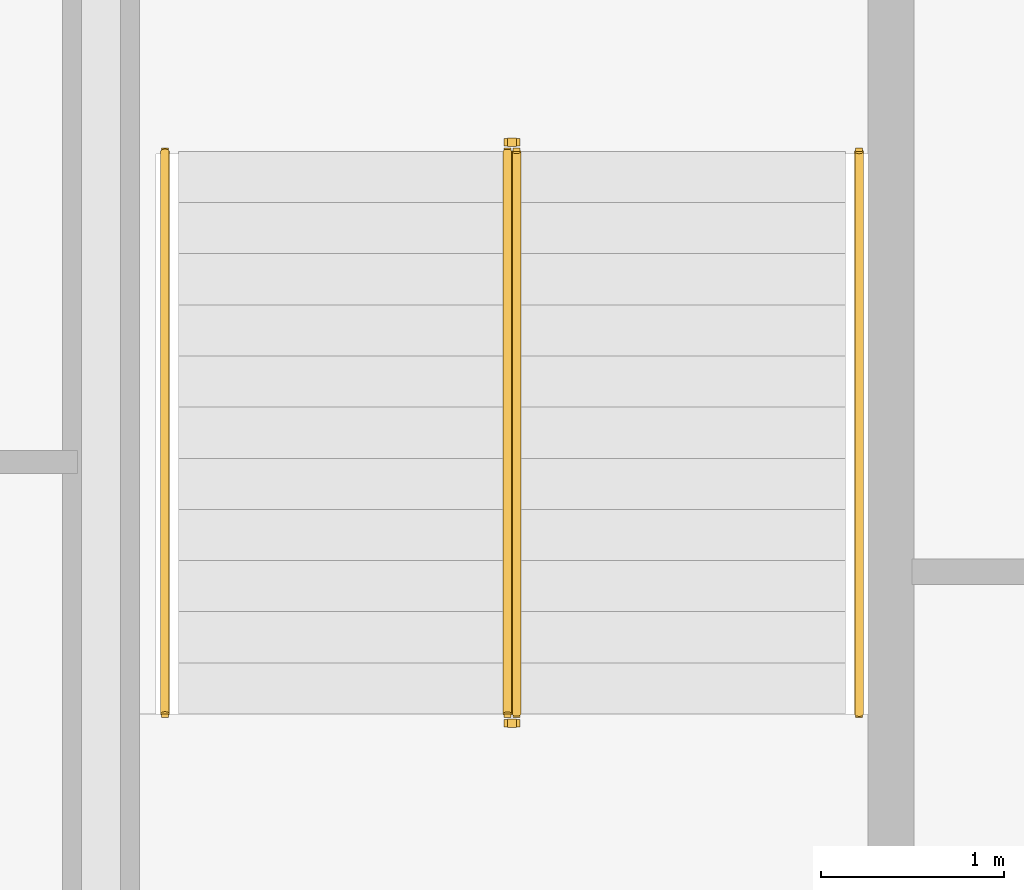
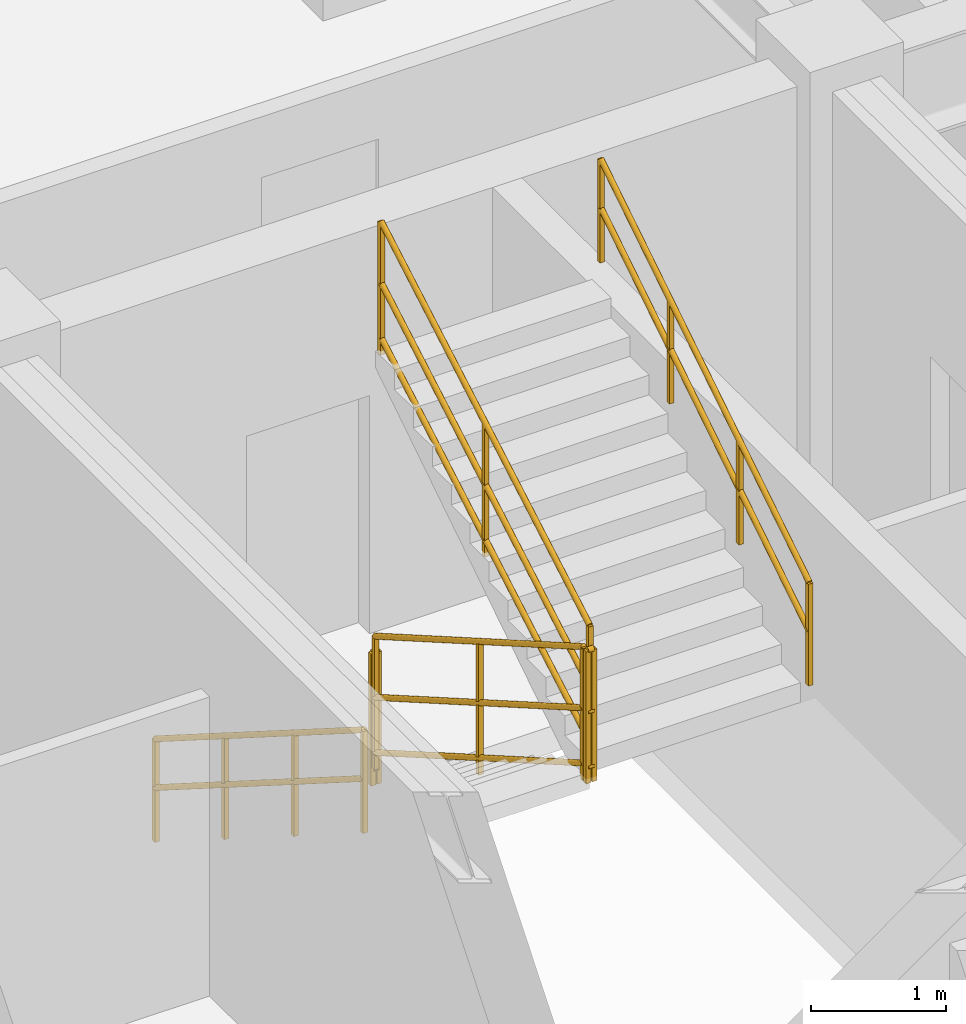
# One storey, part 9 of 9: 6 railings.
"""IFC4 building model written with IfcOpenShell, lengths in metres."""

import ifcopenshell
import ifcopenshell.guid

model = None  # the IFC model being written
_history = None  # IfcOwnerHistory: only IFC2X3 demands one
_inside = {}  # id of a spatial element -> (the spatial element, [elements in it])
_under = {}  # id of a project, library or spatial element -> (it, [spatial elements below it])
_declared = {}  # id of a project -> (the project, [libraries it declares])
_typed = {}  # id of a type object -> (the type object, [elements of that type])
_made_of = {}  # id of a material, layer set ... -> (it, [elements and type objects made of it])


def new_model(schema):
    """Start an empty IFC model of exactly this schema.

    Asked for "IFC4X3", IfcOpenShell would pick the latest addendum, in which some entities
    have other attributes; the version numbers below select the first issue.
    IFC2X3 requires an IfcOwnerHistory on every rooted entity: one is made here for all.
    """
    global model, _history
    if schema == "IFC4X3":
        model = ifcopenshell.file(schema_version=(4, 3, 0, 0))
    else:
        model = ifcopenshell.file(schema=schema)
    _inside.clear()
    _under.clear()
    _declared.clear()
    _typed.clear()
    _made_of.clear()
    _history = None
    if model.schema == "IFC2X3":
        org = make("IfcOrganization", Name="unknown")
        user = make(
            "IfcPersonAndOrganization",
            ThePerson=make("IfcPerson", FamilyName="unknown"),
            TheOrganization=org,
        )
        app = make(
            "IfcApplication",
            ApplicationDeveloper=org,
            Version="unknown",
            ApplicationFullName="unknown",
            ApplicationIdentifier="unknown",
        )
        _history = make(
            "IfcOwnerHistory",
            OwningUser=user,
            OwningApplication=app,
            ChangeAction="ADDED",
            CreationDate=0,
        )
    return model


def make(cls, **values):
    """One entity of the class cls with the attributes given. An attribute that is None is left unset."""
    return model.create_entity(
        cls, **{name: value for name, value in values.items() if value is not None}
    )


def entity(cls, *values):
    """Any entity or typed value of the class cls, its attributes in the order of the schema. None: left unset."""
    e = model.create_entity(cls)
    for i, value in enumerate(values):
        if value is not None:
            e[i] = value
    return e


def rooted(cls, **values):
    """An entity with a GlobalId (a new one), such as an element, a storey or a relation."""
    return make(cls, GlobalId=ifcopenshell.guid.new(), OwnerHistory=_history, **values)


def si_unit(unit_type, name, prefix=None):
    """IfcSIUnit, for example si_unit("LENGTHUNIT", "METRE", prefix="MILLI")."""
    return make("IfcSIUnit", UnitType=unit_type, Prefix=prefix, Name=name)


def converted_unit(unit_type, name, factor, base, dimensions=None, offset=None):
    """IfcConversionBasedUnit, such as the inch: factor (a typed value) times the base unit."""
    return make(
        "IfcConversionBasedUnit"
        if offset is None
        else "IfcConversionBasedUnitWithOffset",
        ConversionOffset=offset,
        Dimensions=None
        if dimensions is None
        else entity("IfcDimensionalExponents", *dimensions),
        UnitType=unit_type,
        Name=name,
        ConversionFactor=make(
            "IfcMeasureWithUnit", ValueComponent=factor, UnitComponent=base
        ),
    )


def assignment(units):
    """IfcUnitAssignment: the units of a project."""
    return None if units is None else make("IfcUnitAssignment", Units=units)


def point(xyz):
    """IfcCartesianPoint."""
    return None if xyz is None else make("IfcCartesianPoint", Coordinates=xyz)


def direction(xyz):
    """IfcDirection."""
    return None if xyz is None else make("IfcDirection", DirectionRatios=xyz)


def frame(location, z_axis=None, x_axis=None):
    """IfcAxis2Placement3D, a coordinate frame: its origin and axes. An axis left out is left unset."""
    return make(
        "IfcAxis2Placement3D",
        Location=point(location),
        Axis=direction(z_axis),
        RefDirection=direction(x_axis),
    )


def frame_2d(location, x_axis=None):
    """IfcAxis2Placement2D, a coordinate frame in the plane: its origin and x axis."""
    return make(
        "IfcAxis2Placement2D", Location=point(location), RefDirection=direction(x_axis)
    )


def origin_with_axes():
    """The frame at (0, 0, 0) with the z axis (0, 0, 1) and the x axis (1, 0, 0) written out."""
    return frame((0.0, 0.0, 0.0), z_axis=(0.0, 0.0, 1.0), x_axis=(1.0, 0.0, 0.0))


def origin_2d_with_axis():
    """The frame at (0, 0) in the plane with the x axis (1, 0) written out."""
    return frame_2d((0.0, 0.0), x_axis=(1.0, 0.0))


def place(relative_to, where):
    """IfcLocalPlacement: puts the frame where relative to a parent placement (None: the world)."""
    return make(
        "IfcLocalPlacement", PlacementRelTo=relative_to, RelativePlacement=where
    )


def context(
    kind, dimensions, precision=None, world=None, true_north=None, identifier=None
):
    """IfcGeometricRepresentationContext, for example the 3D "Model" context."""
    return make(
        "IfcGeometricRepresentationContext",
        ContextIdentifier=identifier,
        ContextType=kind,
        CoordinateSpaceDimension=dimensions,
        Precision=precision,
        WorldCoordinateSystem=world,
        TrueNorth=true_north,
    )


def subcontext(parent, identifier, kind, view, scale=None):
    """IfcGeometricRepresentationSubContext, for example "Body" below "Model"."""
    return make(
        "IfcGeometricRepresentationSubContext",
        ContextIdentifier=identifier,
        ContextType=kind,
        ParentContext=parent,
        TargetScale=scale,
        TargetView=view,
    )


def project(units=None, contexts=None):
    """IfcProject with its units and contexts."""
    return rooted(
        "IfcProject",
        Name="project",
        RepresentationContexts=contexts,
        UnitsInContext=assignment(units),
    )


def spatial(cls, under=None, at=None, **own):
    """A site, building, storey or space (cls), placed at a placement, below another one or the project."""
    s = rooted(cls, ObjectPlacement=at, **own)
    if under is not None:
        _under.setdefault(under.id(), (under, []))[1].append(s)
    return s


def profile(cls, at=None, kind="AREA", **sizes):
    """A parametric profile (cls). Its sizes go by their IFC names, for example OverallWidth=200.0."""
    return make(cls, ProfileType=kind, Position=at, **sizes)


def rectangle(**sizes):
    """IfcRectangleProfileDef."""
    return profile("IfcRectangleProfileDef", **sizes)


def circle(**sizes):
    """IfcCircleProfileDef."""
    return profile("IfcCircleProfileDef", **sizes)


def extrude(swept, where, along, depth):
    """IfcExtrudedAreaSolid: the profile swept, set in the frame where, extruded along a direction by depth."""
    return make(
        "IfcExtrudedAreaSolid",
        SweptArea=swept,
        Position=where,
        ExtrudedDirection=direction(along),
        Depth=depth,
    )


def shape(context_of_items, identifier, shape_type, items):
    """IfcShapeRepresentation: the items that make up one representation, for example the "Body"."""
    return make(
        "IfcShapeRepresentation",
        ContextOfItems=context_of_items,
        RepresentationIdentifier=identifier,
        RepresentationType=shape_type,
        Items=items,
    )


def material(Name=None, Category=None):
    """IfcMaterial."""
    return make("IfcMaterial", Name=Name, Category=Category)


def made_of(thing, what):
    """Note that an element or type object is made of a material, layer set ...; save() writes the relation."""
    if what is not None:
        _made_of.setdefault(what.id(), (what, []))[1].append(thing)
    return thing


def type_object(cls, material=None, **own):
    """A type object (cls), such as IfcWallType, which elements share."""
    return made_of(rooted(cls, **own), material)


def element(
    cls,
    number,
    at=None,
    inside=None,
    cuts=None,
    type_object=None,
    material=None,
    context=None,
    identifier="Body",
    shape_type=None,
    held_by="IfcProductDefinitionShape",
    body=None,
    shapes=None,
    **own,
):
    """One element of the class cls, such as IfcWall. Its Tag is "e" and its number.

    at: its placement. inside: the storey or other place that contains it. cuts: it is an
    opening in that element (IfcRelVoidsElement). A single representation is given by context,
    identifier, shape_type and body (its items); several are given by shapes. held_by: the class
    of the entity that holds the representations. save() writes the other relations.
    """
    e = rooted(cls, Tag="e%d" % number, ObjectPlacement=at, **own)
    if body is not None:
        shapes = [shape(context, identifier, shape_type, body)]
    if shapes is not None:
        e.Representation = make(held_by, Representations=shapes)
    if inside is not None:
        _inside.setdefault(inside.id(), (inside, []))[1].append(e)
    if cuts is not None:
        rooted(
            "IfcRelVoidsElement", RelatingBuildingElement=cuts, RelatedOpeningElement=e
        )
    if type_object is not None:
        _typed.setdefault(type_object.id(), (type_object, []))[1].append(e)
    return made_of(e, material)


def aggregate(whole, parts):
    """IfcRelAggregates: a whole, such as a stair, and the parts it consists of."""
    return rooted("IfcRelAggregates", RelatingObject=whole, RelatedObjects=parts)


def save(model, path):
    """Write the relations noted so far, then the file.

    IfcRelAggregates (storeys below a building ...), IfcRelContainedInSpatialStructure (elements
    in a storey), IfcRelDefinesByType, IfcRelAssociatesMaterial and IfcRelDeclares: one each for
    every whole, place, type object, material and project.
    """
    for whole, parts in _under.values():
        aggregate(whole, parts)
    for where, things in _inside.values():
        rooted(
            "IfcRelContainedInSpatialStructure",
            RelatedElements=things,
            RelatingStructure=where,
        )
    for kind, things in _typed.values():
        rooted("IfcRelDefinesByType", RelatedObjects=things, RelatingType=kind)
    for what, things in _made_of.values():
        rooted("IfcRelAssociatesMaterial", RelatedObjects=things, RelatingMaterial=what)
    for by, libraries in _declared.values():
        rooted("IfcRelDeclares", RelatingContext=by, RelatedDefinitions=libraries)
    model.write(path)


model = new_model("IFC4")

# Units and contexts
model_context = context("Model", 3, precision=1e-05, world=origin_with_axes(), true_north=direction((0.0, 1.0)))
body_context = subcontext(model_context, "Body", "Model", "MODEL_VIEW")
ifc_project = project(units=[si_unit("LENGTHUNIT", "METRE"), si_unit("AREAUNIT", "SQUARE_METRE"), si_unit("VOLUMEUNIT", "CUBIC_METRE"), converted_unit("PLANEANGLEUNIT", "DEGREE", entity("IfcPlaneAngleMeasure", 0.017453292519943295), si_unit("PLANEANGLEUNIT", "RADIAN"), dimensions=[0, 0, 0, 0, 0, 0, 0]), si_unit("MASSUNIT", "GRAM", prefix="KILO"), si_unit("THERMODYNAMICTEMPERATUREUNIT", "KELVIN")], contexts=[model_context])

# Site, building, storey
site_placement = place(None, origin_with_axes())
site = spatial("IfcSite", under=ifc_project, at=site_placement, CompositionType="ELEMENT")
building_placement = place(site_placement, origin_with_axes())
building = spatial("IfcBuilding", under=site, at=building_placement, Name="Varnlund Millrace Tower", CompositionType="ELEMENT")
storey_placement = place(building_placement, frame((0.0, 0.0, 256.8), z_axis=(0.0, 0.0, 1.0), x_axis=(1.0, 0.0, 0.0)))
storey = spatial("IfcBuildingStorey", under=building, at=storey_placement, Name="L63", CompositionType="ELEMENT", Elevation=256.8)

# Railings
ifc_material_1 = material(Name="Painted steel stair well balustrade guard", Category="steel")
railing_type_1 = type_object("IfcRailingType", Name="Type-StairGuard-1150", PredefinedType="GUARDRAIL", material=ifc_material_1)
railing_1_placement = place(storey_placement, frame((0.0, 0.0, -256.8), z_axis=(0.0, 0.0, 1.0), x_axis=(1.0, 0.0, 0.0)))
element("IfcRailing", 1, at=railing_1_placement, inside=storey, type_object=railing_type_1, Name="Type-StairGuard-1150", PredefinedType="GUARDRAIL", context=body_context, shape_type="SweptSolid", body=[
    extrude(circle(Radius=0.024, at=origin_2d_with_axis()), frame((13.625, 35.9, 258.127273), z_axis=(0.0, -0.866696, 0.498836), x_axis=(1.0, 0.0, 0.0)), (0.0, 0.0, 1.0), 3.553725),
    extrude(circle(Radius=0.024, at=origin_2d_with_axis()), frame((13.625, 35.9, 257.077273), z_axis=(0.0, -0.866696, 0.498836), x_axis=(1.0, 0.0, 0.0)), (0.0, 0.0, 1.0), 3.553725),
    extrude(circle(Radius=0.024, at=origin_2d_with_axis()), frame((13.625, 35.9, 257.575273), z_axis=(0.0, -0.866696, 0.498836), x_axis=(1.0, 0.0, 0.0)), (0.0, 0.0, 1.0), 3.553725),
    extrude(rectangle(XDim=0.04, YDim=0.04, at=origin_2d_with_axis()), frame((13.625, 35.9, 256.937273), z_axis=(0.0, 0.0, 1.0), x_axis=(1.0, 0.0, 0.0)), (0.0, 0.0, 1.0), 1.19),
    extrude(rectangle(XDim=0.04, YDim=0.04, at=origin_2d_with_axis()), frame((13.625, 34.36, 257.823636), z_axis=(0.0, 0.0, 1.0), x_axis=(1.0, 0.0, 0.0)), (0.0, 0.0, 1.0), 1.19),
    extrude(rectangle(XDim=0.04, YDim=0.04, at=origin_2d_with_axis()), frame((13.625, 32.82, 258.71), z_axis=(0.0, 0.0, 1.0), x_axis=(1.0, 0.0, 0.0)), (0.0, 0.0, 1.0), 1.19),
])
railing_2_placement = place(storey_placement, frame((0.0, 0.0, -256.8), z_axis=(0.0, 0.0, 1.0), x_axis=(1.0, 0.0, 0.0)))
element("IfcRailing", 2, at=railing_2_placement, inside=storey, type_object=railing_type_1, Name="Type-StairGuard-1150", PredefinedType="GUARDRAIL", context=body_context, shape_type="SweptSolid", body=[
    extrude(circle(Radius=0.024, at=origin_2d_with_axis()), frame((13.675, 32.77, 259.9), z_axis=(-1.0, 0.0, 0.0), x_axis=(0.0, -1.0, 0.0)), (0.0, 0.0, 1.0), 0.05),
    extrude(circle(Radius=0.024, at=origin_2d_with_axis()), frame((13.675, 32.77, 258.85), z_axis=(-1.0, 0.0, 0.0), x_axis=(0.0, -1.0, 0.0)), (0.0, 0.0, 1.0), 0.05),
    extrude(circle(Radius=0.024, at=origin_2d_with_axis()), frame((13.675, 32.77, 259.348), z_axis=(-1.0, 0.0, 0.0), x_axis=(0.0, -1.0, 0.0)), (0.0, 0.0, 1.0), 0.05),
    extrude(rectangle(XDim=0.04, YDim=0.04, at=origin_2d_with_axis()), frame((13.675, 32.77, 258.71), z_axis=(0.0, 0.0, 1.0), x_axis=(1.0, 0.0, 0.0)), (0.0, 0.0, 1.0), 1.19),
    extrude(rectangle(XDim=0.04, YDim=0.04, at=origin_2d_with_axis()), frame((13.625, 32.77, 258.71), z_axis=(0.0, 0.0, 1.0), x_axis=(1.0, 0.0, 0.0)), (0.0, 0.0, 1.0), 1.19),
])
railing_3_placement = place(storey_placement, frame((0.0, 0.0, -256.8), z_axis=(0.0, 0.0, 1.0), x_axis=(1.0, 0.0, 0.0)))
element("IfcRailing", 3, at=railing_3_placement, inside=storey, type_object=railing_type_1, Name="Type-StairGuard-1150", PredefinedType="GUARDRAIL", context=body_context, shape_type="SweptSolid", body=[
    extrude(circle(Radius=0.024, at=origin_2d_with_axis()), frame((13.675, 32.82, 260.077273), z_axis=(0.0, 0.866696, 0.498836), x_axis=(-1.0, 0.0, 0.0)), (0.0, 0.0, 1.0), 3.553725),
    extrude(circle(Radius=0.024, at=origin_2d_with_axis()), frame((13.675, 32.82, 259.027273), z_axis=(0.0, 0.866696, 0.498836), x_axis=(-1.0, 0.0, 0.0)), (0.0, 0.0, 1.0), 3.553725),
    extrude(circle(Radius=0.024, at=origin_2d_with_axis()), frame((13.675, 32.82, 259.525273), z_axis=(0.0, 0.866696, 0.498836), x_axis=(-1.0, 0.0, 0.0)), (0.0, 0.0, 1.0), 3.553725),
    extrude(rectangle(XDim=0.04, YDim=0.04, at=origin_2d_with_axis()), frame((13.675, 32.82, 258.887273), z_axis=(0.0, 0.0, 1.0), x_axis=(1.0, 0.0, 0.0)), (0.0, 0.0, 1.0), 1.19),
    extrude(rectangle(XDim=0.04, YDim=0.04, at=origin_2d_with_axis()), frame((13.675, 34.36, 259.773637), z_axis=(0.0, 0.0, 1.0), x_axis=(1.0, 0.0, 0.0)), (0.0, 0.0, 1.0), 1.19),
    extrude(rectangle(XDim=0.04, YDim=0.04, at=origin_2d_with_axis()), frame((13.675, 35.9, 260.66), z_axis=(0.0, 0.0, 1.0), x_axis=(1.0, 0.0, 0.0)), (0.0, 0.0, 1.0), 1.19),
])
railing_4_placement = place(storey_placement, frame((0.0, 0.0, -256.8), z_axis=(0.0, 0.0, 1.0), x_axis=(1.0, 0.0, 0.0)))
element("IfcRailing", 4, at=railing_4_placement, inside=storey, type_object=railing_type_1, Name="Type-StairGuard-1150", PredefinedType="GUARDRAIL", context=body_context, shape_type="SweptSolid", body=[
    extrude(circle(Radius=0.024, at=origin_2d_with_axis()), frame((13.675, 35.95, 257.95), z_axis=(-1.0, 0.0, 0.0), x_axis=(0.0, -1.0, 0.0)), (0.0, 0.0, 1.0), 0.05),
    extrude(circle(Radius=0.024, at=origin_2d_with_axis()), frame((13.675, 35.95, 256.9), z_axis=(-1.0, 0.0, 0.0), x_axis=(0.0, -1.0, 0.0)), (0.0, 0.0, 1.0), 0.05),
    extrude(circle(Radius=0.024, at=origin_2d_with_axis()), frame((13.675, 35.95, 257.398), z_axis=(-1.0, 0.0, 0.0), x_axis=(0.0, -1.0, 0.0)), (0.0, 0.0, 1.0), 0.05),
    extrude(rectangle(XDim=0.04, YDim=0.04, at=origin_2d_with_axis()), frame((13.675, 35.95, 256.76), z_axis=(0.0, 0.0, 1.0), x_axis=(1.0, 0.0, 0.0)), (0.0, 0.0, 1.0), 1.19),
    extrude(rectangle(XDim=0.04, YDim=0.04, at=origin_2d_with_axis()), frame((13.625, 35.95, 256.76), z_axis=(0.0, 0.0, 1.0), x_axis=(1.0, 0.0, 0.0)), (0.0, 0.0, 1.0), 1.19),
])
ifc_material_2 = material(Name="Brushed architectural bronze stair handrail", Category="aluminium")
railing_type_2 = type_object("IfcRailingType", Name="Type-StairHandrail-900", PredefinedType="HANDRAIL", material=ifc_material_2)
railing_5_placement = place(storey_placement, frame((0.0, 0.0, -256.8), z_axis=(0.0, 0.0, 1.0), x_axis=(1.0, 0.0, 0.0)))
element("IfcRailing", 5, at=railing_5_placement, inside=storey, type_object=railing_type_2, Name="Type-StairHandrail-900", PredefinedType="HANDRAIL", context=body_context, shape_type="SweptSolid", body=[
    extrude(circle(Radius=0.024, at=origin_2d_with_axis()), frame((11.75, 35.9, 257.856995), z_axis=(0.0, -0.844902, 0.534922), x_axis=(1.0, 0.0, 0.0)), (0.0, 0.0, 1.0), 3.645394),
    extrude(circle(Radius=0.024, at=origin_2d_with_axis()), frame((11.75, 35.9, 257.417134), z_axis=(0.0, -0.844902, 0.534922), x_axis=(1.0, 0.0, 0.0)), (0.0, 0.0, 1.0), 3.645394),
    extrude(rectangle(XDim=0.04, YDim=0.04, at=origin_2d_with_axis()), frame((11.75, 35.9, 256.937273), z_axis=(0.0, 0.0, 1.0), x_axis=(1.0, 0.0, 0.0)), (0.0, 0.0, 1.0), 0.919722),
    extrude(rectangle(XDim=0.04, YDim=0.04, at=origin_2d_with_axis()), frame((11.75, 34.873333, 257.587273), z_axis=(0.0, 0.0, 1.0), x_axis=(1.0, 0.0, 0.0)), (0.0, 0.0, 1.0), 0.919722),
    extrude(rectangle(XDim=0.04, YDim=0.04, at=origin_2d_with_axis()), frame((11.75, 33.846667, 258.237273), z_axis=(0.0, 0.0, 1.0), x_axis=(1.0, 0.0, 0.0)), (0.0, 0.0, 1.0), 0.919722),
    extrude(rectangle(XDim=0.04, YDim=0.04, at=origin_2d_with_axis()), frame((11.75, 32.82, 258.887273), z_axis=(0.0, 0.0, 1.0), x_axis=(1.0, 0.0, 0.0)), (0.0, 0.0, 1.0), 0.919722),
])
railing_6_placement = place(storey_placement, frame((0.0, 0.0, -256.8), z_axis=(0.0, 0.0, 1.0), x_axis=(1.0, 0.0, 0.0)))
element("IfcRailing", 6, at=railing_6_placement, inside=storey, type_object=railing_type_2, Name="Type-StairHandrail-900", PredefinedType="HANDRAIL", context=body_context, shape_type="SweptSolid", body=[
    extrude(circle(Radius=0.024, at=origin_2d_with_axis()), frame((15.55, 32.82, 259.806995), z_axis=(0.0, 0.844902, 0.534922), x_axis=(-1.0, 0.0, 0.0)), (0.0, 0.0, 1.0), 3.645394),
    extrude(circle(Radius=0.024, at=origin_2d_with_axis()), frame((15.55, 32.82, 259.367134), z_axis=(0.0, 0.844902, 0.534922), x_axis=(-1.0, 0.0, 0.0)), (0.0, 0.0, 1.0), 3.645394),
    extrude(rectangle(XDim=0.04, YDim=0.04, at=origin_2d_with_axis()), frame((15.55, 32.82, 258.887273), z_axis=(0.0, 0.0, 1.0), x_axis=(1.0, 0.0, 0.0)), (0.0, 0.0, 1.0), 0.919722),
    extrude(rectangle(XDim=0.04, YDim=0.04, at=origin_2d_with_axis()), frame((15.55, 33.846667, 259.537273), z_axis=(0.0, 0.0, 1.0), x_axis=(1.0, 0.0, 0.0)), (0.0, 0.0, 1.0), 0.919722),
    extrude(rectangle(XDim=0.04, YDim=0.04, at=origin_2d_with_axis()), frame((15.55, 34.873333, 260.187273), z_axis=(0.0, 0.0, 1.0), x_axis=(1.0, 0.0, 0.0)), (0.0, 0.0, 1.0), 0.919722),
    extrude(rectangle(XDim=0.04, YDim=0.04, at=origin_2d_with_axis()), frame((15.55, 35.9, 260.837273), z_axis=(0.0, 0.0, 1.0), x_axis=(1.0, 0.0, 0.0)), (0.0, 0.0, 1.0), 0.919722),
])

save(model, "model.ifc")
